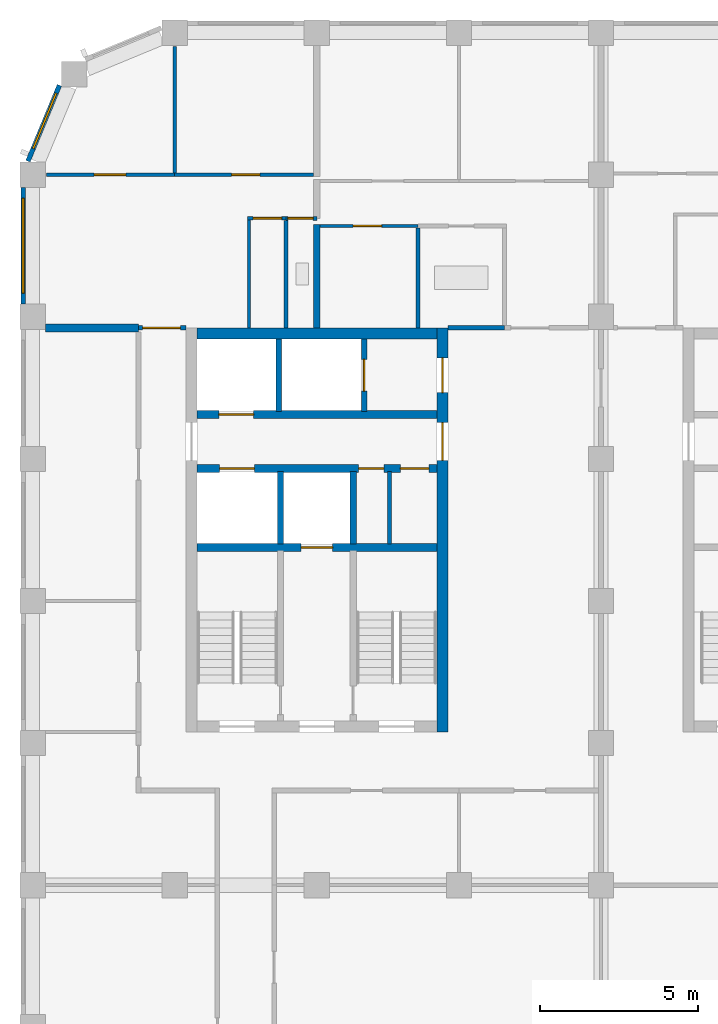
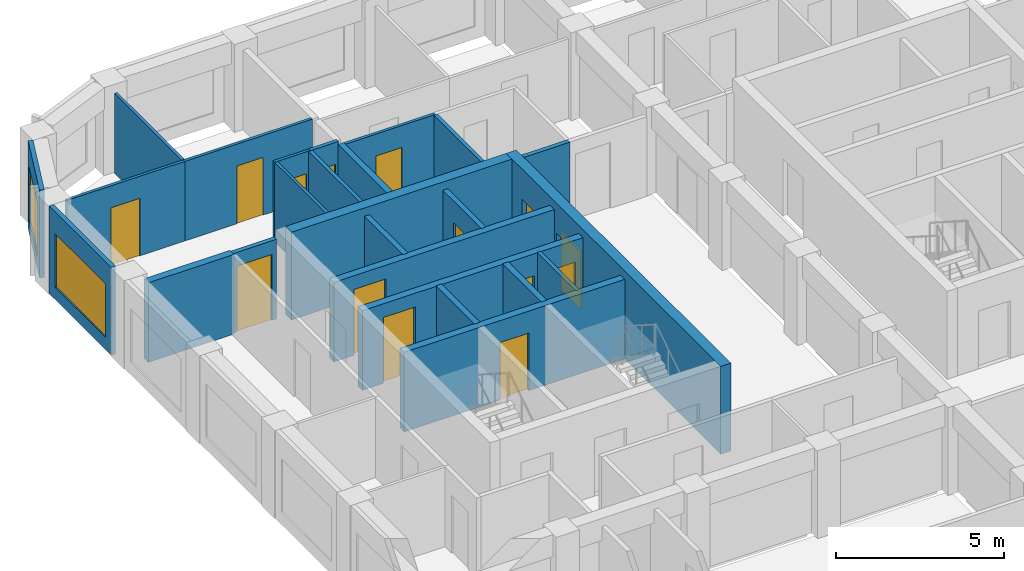
# One storey, part 5 of 9: 25 walls, 14 doors, 2 windows, 16 openings.
"""IFC4 building model written with IfcOpenShell, lengths in metres."""

from ifc_helpers import new_model, si_unit, direction, frame, frame_2d, origin, place, context, subcontext, project, spatial, rectangle, extrude, material, layer, layer_set, type_object, element, fill, save


model = new_model("IFC4")

# Units and contexts
model_context = context("Model", 3, precision=1e-05, world=origin(), true_north=direction((0.0, 1.0)))
body_context = subcontext(model_context, "Body", "Model", "MODEL_VIEW")
ifc_project = project(units=[si_unit("LENGTHUNIT", "METRE"), si_unit("AREAUNIT", "SQUARE_METRE"), si_unit("VOLUMEUNIT", "CUBIC_METRE"), si_unit("PLANEANGLEUNIT", "RADIAN"), si_unit("MASSUNIT", "GRAM", prefix="KILO")], contexts=[model_context])

# Site, building, storey
site_placement = place(None, origin())
site = spatial("IfcSite", under=ifc_project, at=site_placement, CompositionType="ELEMENT")
building_placement = place(site_placement, origin())
building = spatial("IfcBuilding", under=site, at=building_placement, Name="Girih Gate Residences", CompositionType="ELEMENT")
storey_placement = place(building_placement, frame((0.0, 0.0, 213.294921875)))
storey = spatial("IfcBuildingStorey", under=building, at=storey_placement, Name="L59", CompositionType="ELEMENT", Elevation=213.294921875)

# Wall
ifc_material_1 = material(Name="Gypsum board on steel studs", Category="steel")
ifc_layer_1 = layer(ifc_material_1, 0.25)
ifc_layer_set_1 = layer_set([ifc_layer_1], Name="Acoustic separating wall 250 mm")
wall_type_1 = type_object("IfcWallType", Name="Acoustic separating wall 250 mm", PredefinedType="PARTITIONING", material=ifc_layer_set_1)
wall_1_placement = place(storey_placement, frame((0.39990234375, 40.14990234375, 0.0), z_axis=(0.0, 0.0, 1.0), x_axis=(1.0, 0.0, 0.0)))
element("IfcWall", 1, at=wall_1_placement, inside=storey, type_object=wall_type_1, Name="L59 partition", PredefinedType="PARTITIONING", context=body_context, shape_type="SweptSolid", body=[
    extrude(rectangle(XDim=2.9501953125, YDim=0.25, at=frame_2d((1.47509765625, 0.0))), origin(), (0.0, 0.0, 1.0), 2.900146484375),
])

# Wall, opening, door
ifc_layer_2 = layer(ifc_material_1, 0.14990234375)
ifc_layer_set_2 = layer_set([ifc_layer_2], Name="Compartment wall 150 mm")
wall_type_2 = type_object("IfcWallType", Name="Compartment wall 150 mm", PredefinedType="PARTITIONING", material=ifc_layer_set_2)
wall_2_placement = place(storey_placement, frame((3.35009765625, 40.14990234375, 0.0), z_axis=(0.0, 0.0, 1.0), x_axis=(1.0, 0.0, 0.0)))
wall_2 = element("IfcWall", 2, at=wall_2_placement, inside=storey, type_object=wall_type_2, Name="L59 partition", PredefinedType="PARTITIONING", context=body_context, shape_type="SweptSolid", body=[
    extrude(rectangle(XDim=1.5, YDim=0.14990234375, at=frame_2d((0.75, 0.0))), origin(), (0.0, 0.0, 1.0), 2.900146484375),
])
opening_1_placement = place(wall_2_placement, frame((0.1298828125, 0.0, 0.0)))
opening_1 = element("IfcOpeningElement", 3, at=opening_1_placement, cuts=wall_2, Name="Opening A59-011", PredefinedType="OPENING", context=body_context, shape_type="SweptSolid", body=[
    extrude(rectangle(XDim=1.199951171875, YDim=2.39990234375, at=frame_2d((0.60009765625, 1.199951171875))), frame((0.0, 0.0849609375, 0.0), z_axis=(0.0, -1.0, 0.0), x_axis=(1.0, 0.0, 0.0)), (0.0, 0.0, 1.0), 0.169921875),
])
ifc_material_2 = material(Name="Timber, fire-rated core", Category="wood")
door_type_1 = type_object("IfcDoorType", Name="Villa entrance door 1200x2400 FD30S", OperationType="NOTDEFINED", PredefinedType="DOOR", material=ifc_material_2)
door_1_placement = place(opening_1_placement, origin())
door_1 = element("IfcDoor", 4, at=door_1_placement, inside=storey, type_object=door_type_1, Name="Door A59-011", OperationType="SINGLE_SWING_LEFT", OverallHeight=2.39990234375, OverallWidth=1.199951171875, PredefinedType="DOOR", context=body_context, shape_type="SweptSolid", body=[
    extrude(rectangle(XDim=1.199951171875, YDim=2.39990234375, at=frame_2d((0.60009765625, 1.199951171875))), frame((0.0, 0.02490234375, 0.0), z_axis=(0.0, -1.0, 0.0), x_axis=(1.0, 0.0, 0.0)), (0.0, 0.0, 1.0), 0.050048828125),
])
fill(opening_1, door_1)

# Walls
wall_3_placement = place(storey_placement, frame((13.14990234375, 40.14990234375, 0.0), z_axis=(0.0, 0.0, 1.0), x_axis=(1.0, 0.0, 0.0)))
element("IfcWall", 5, at=wall_3_placement, inside=storey, type_object=wall_type_2, Name="L59 partition", PredefinedType="PARTITIONING", context=body_context, shape_type="SweptSolid", body=[
    extrude(rectangle(XDim=1.800048828125, YDim=0.14990234375, at=frame_2d((0.89990234375, 0.0))), origin(), (0.0, 0.0, 1.0), 2.900146484375),
])
ifc_material_3 = material(Name="Concrete C60/75", Category="concrete")
ifc_layer_3 = layer(ifc_material_3, 0.35009765625)
ifc_layer_set_3 = layer_set([ifc_layer_3], Name="Core wall RC 350 Concrete C60/75")
wall_type_3 = type_object("IfcWallType", Name="Core wall RC 350 Concrete C60/75", PredefinedType="SOLIDWALL", material=ifc_layer_set_3)
wall_4_placement = place(storey_placement, frame((5.199951171875, 39.97509765625, 0.0), z_axis=(0.0, 0.0, 1.0), x_axis=(1.0, 0.0, 0.0)))
element("IfcWall", 6, at=wall_4_placement, inside=storey, type_object=wall_type_3, Name="Core wall W-N L59", PredefinedType="SOLIDWALL", context=body_context, shape_type="SweptSolid", body=[
    extrude(rectangle(XDim=7.60009765625, YDim=0.35009765625, at=frame_2d((3.800048828125, 0.0))), origin(), (0.0, 0.0, 1.0), 3.2001953125),
])

# Wall, openings, doors
wall_5_placement = place(storey_placement, frame((12.97509765625, 27.35009765625, 0.0), z_axis=(0.0, 0.0, 1.0), x_axis=(0.0, 1.0, 0.0)))
wall_5 = element("IfcWall", 7, at=wall_5_placement, inside=storey, type_object=wall_type_3, Name="Core wall W-E L59", PredefinedType="SOLIDWALL", context=body_context, shape_type="SweptSolid", body=[
    extrude(rectangle(XDim=12.7998046875, YDim=0.35009765625, at=frame_2d((6.39990234375, 0.0))), origin(), (0.0, 0.0, 1.0), 3.2001953125),
])
opening_2_placement = place(wall_5_placement, frame((10.75, 0.0, 0.0)))
opening_2 = element("IfcOpeningElement", 8, at=opening_2_placement, cuts=wall_5, Name="Opening D-L59-W-012", PredefinedType="OPENING", context=body_context, shape_type="SweptSolid", body=[
    extrude(rectangle(XDim=1.10009765625, YDim=2.10009765625, at=frame_2d((0.550048828125, 1.050048828125))), frame((0.0, 0.18505859375, 0.0), z_axis=(0.0, -1.0, 0.0), x_axis=(1.0, 0.0, 0.0)), (0.0, 0.0, 1.0), 0.3701171875),
])
opening_3_placement = place(wall_5_placement, frame((8.60009765625, 0.0, 0.0)))
opening_3 = element("IfcOpeningElement", 9, at=opening_3_placement, cuts=wall_5, Name="Opening D-L59-W-014", PredefinedType="OPENING", context=body_context, shape_type="SweptSolid", body=[
    extrude(rectangle(XDim=1.199951171875, YDim=2.10009765625, at=frame_2d((0.60009765625, 1.050048828125))), frame((0.0, 0.18505859375, 0.0), z_axis=(0.0, -1.0, 0.0), x_axis=(1.0, 0.0, 0.0)), (0.0, 0.0, 1.0), 0.3701171875),
])
ifc_material_4 = material(Name="Painted steel, fire-resisting", Category="steel")
door_type_2 = type_object("IfcDoorType", Name="Fire door 1100x2100", OperationType="SINGLE_SWING_LEFT", PredefinedType="DOOR", material=ifc_material_4)
door_2_placement = place(opening_2_placement, origin())
door_2 = element("IfcDoor", 10, at=door_2_placement, inside=storey, type_object=door_type_2, Name="L59 W core door ffl2-e", OperationType="SINGLE_SWING_LEFT", OverallHeight=2.10009765625, OverallWidth=1.10009765625, PredefinedType="DOOR", context=body_context, shape_type="SweptSolid", body=[
    extrude(rectangle(XDim=1.10009765625, YDim=2.10009765625, at=frame_2d((0.550048828125, 1.050048828125))), frame((0.0, 0.02490234375, 0.0), z_axis=(0.0, -1.0, 0.0), x_axis=(1.0, 0.0, 0.0)), (0.0, 0.0, 1.0), 0.050048828125),
])
fill(opening_2, door_2)
door_type_3 = type_object("IfcDoorType", Name="Fire door 1200x2100", OperationType="SINGLE_SWING_LEFT", PredefinedType="DOOR", material=ifc_material_4)
door_3_placement = place(opening_3_placement, origin())
door_3 = element("IfcDoor", 11, at=door_3_placement, inside=storey, type_object=door_type_3, Name="L59 W core door ll-e", OperationType="SINGLE_SWING_LEFT", OverallHeight=2.10009765625, OverallWidth=1.199951171875, PredefinedType="DOOR", context=body_context, shape_type="SweptSolid", body=[
    extrude(rectangle(XDim=1.199951171875, YDim=2.10009765625, at=frame_2d((0.60009765625, 1.050048828125))), frame((0.0, 0.02490234375, 0.0), z_axis=(0.0, -1.0, 0.0), x_axis=(1.0, 0.0, 0.0)), (0.0, 0.0, 1.0), 0.050048828125),
])
fill(opening_3, door_3)

# Wall, opening, door
ifc_material_5 = material(Name="Concrete C40/50", Category="concrete")
ifc_layer_4 = layer(ifc_material_5, 0.25)
ifc_layer_set_4 = layer_set([ifc_layer_4], Name="Lift shaft wall 250")
wall_type_4 = type_object("IfcWallType", Name="Lift shaft wall 250", PredefinedType="SOLIDWALL", material=ifc_layer_set_4)
wall_6_placement = place(storey_placement, frame((5.199951171875, 33.199951171875, 0.0), z_axis=(0.0, 0.0, 1.0), x_axis=(1.0, 0.0, 0.0)))
wall_6 = element("IfcWall", 12, at=wall_6_placement, inside=storey, type_object=wall_type_4, Name="L59 W core wall H1", PredefinedType="SOLIDWALL", context=body_context, shape_type="SweptSolid", body=[
    extrude(rectangle(XDim=7.60009765625, YDim=0.25, at=frame_2d((3.800048828125, 0.0))), origin(), (0.0, 0.0, 1.0), 2.900146484375),
])
opening_4_placement = place(wall_6_placement, frame((3.300048828125, 0.0, 0.0)))
opening_4 = element("IfcOpeningElement", 13, at=opening_4_placement, cuts=wall_6, Name="Opening D-L59-W-006", PredefinedType="OPENING", context=body_context, shape_type="SweptSolid", body=[
    extrude(rectangle(XDim=1.0, YDim=2.10009765625, at=frame_2d((0.5, 1.050048828125))), frame((0.0, 0.135009765625, 0.0), z_axis=(0.0, -1.0, 0.0), x_axis=(1.0, 0.0, 0.0)), (0.0, 0.0, 1.0), 0.27001953125),
])
ifc_material_6 = material(Name="Stainless steel, fire-resisting", Category="steel")
door_type_4 = type_object("IfcDoorType", Name="Firefighting lift landing door 1000x2100", OperationType="SLIDING_TO_LEFT", PredefinedType="DOOR", material=ifc_material_6)
door_4_placement = place(opening_4_placement, origin())
door_4 = element("IfcDoor", 14, at=door_4_placement, inside=storey, type_object=door_type_4, Name="L59 lift FF-W landing door", OperationType="SLIDING_TO_LEFT", OverallHeight=2.10009765625, OverallWidth=1.0, PredefinedType="DOOR", context=body_context, shape_type="SweptSolid", body=[
    extrude(rectangle(XDim=1.0, YDim=2.10009765625, at=frame_2d((0.5, 1.050048828125))), frame((0.0, 0.02490234375, 0.0), z_axis=(0.0, -1.0, 0.0), x_axis=(1.0, 0.0, 0.0)), (0.0, 0.0, 1.0), 0.050048828125),
])
fill(opening_4, door_4)

# Wall, openings, doors
wall_7_placement = place(storey_placement, frame((5.199951171875, 35.699951171875, 0.0), z_axis=(0.0, 0.0, 1.0), x_axis=(1.0, 0.0, 0.0)))
wall_7 = element("IfcWall", 15, at=wall_7_placement, inside=storey, type_object=wall_type_4, Name="L59 W core wall H2", PredefinedType="SOLIDWALL", context=body_context, shape_type="SweptSolid", body=[
    extrude(rectangle(XDim=7.60009765625, YDim=0.25, at=frame_2d((3.800048828125, 0.0))), origin(), (0.0, 0.0, 1.0), 2.900146484375),
])
opening_5_placement = place(wall_7_placement, frame((0.72509765625, 0.0, 0.0)))
opening_5 = element("IfcOpeningElement", 16, at=opening_5_placement, cuts=wall_7, Name="Opening D-L59-W-005", PredefinedType="OPENING", context=body_context, shape_type="SweptSolid", body=[
    extrude(rectangle(XDim=1.10009765625, YDim=2.39990234375, at=frame_2d((0.550048828125, 1.199951171875))), frame((0.0, 0.135009765625, 0.0), z_axis=(0.0, -1.0, 0.0), x_axis=(1.0, 0.0, 0.0)), (0.0, 0.0, 1.0), 0.27001953125),
])
opening_6_placement = place(wall_7_placement, frame((5.125, 0.0, 0.0)))
opening_6 = element("IfcOpeningElement", 17, at=opening_6_placement, cuts=wall_7, Name="Opening D-L59-W-007", PredefinedType="OPENING", context=body_context, shape_type="SweptSolid", body=[
    extrude(rectangle(XDim=0.800048828125, YDim=2.10009765625, at=frame_2d((0.39990234375, 1.050048828125))), frame((0.0, 0.135009765625, 0.0), z_axis=(0.0, -1.0, 0.0), x_axis=(1.0, 0.0, 0.0)), (0.0, 0.0, 1.0), 0.27001953125),
])
opening_7_placement = place(wall_7_placement, frame((6.449951171875, 0.0, 0.0)))
opening_7 = element("IfcOpeningElement", 18, at=opening_7_placement, cuts=wall_7, Name="Opening D-L59-W-008", PredefinedType="OPENING", context=body_context, shape_type="SweptSolid", body=[
    extrude(rectangle(XDim=0.89990234375, YDim=2.10009765625, at=frame_2d((0.449951171875, 1.050048828125))), frame((0.0, 0.135009765625, 0.0), z_axis=(0.0, -1.0, 0.0), x_axis=(1.0, 0.0, 0.0)), (0.0, 0.0, 1.0), 0.27001953125),
])
door_type_5 = type_object("IfcDoorType", Name="Fire door 800x2100", OperationType="SINGLE_SWING_LEFT", PredefinedType="DOOR", material=ifc_material_4)
door_5_placement = place(opening_6_placement, origin())
door_5 = element("IfcDoor", 19, at=door_5_placement, inside=storey, type_object=door_type_5, Name="L59 W cleaners store door", OperationType="SINGLE_SWING_LEFT", OverallHeight=2.10009765625, OverallWidth=0.800048828125, PredefinedType="DOOR", context=body_context, shape_type="SweptSolid", body=[
    extrude(rectangle(XDim=0.800048828125, YDim=2.10009765625, at=frame_2d((0.39990234375, 1.050048828125))), frame((0.0, 0.02490234375, 0.0), z_axis=(0.0, -1.0, 0.0), x_axis=(1.0, 0.0, 0.0)), (0.0, 0.0, 1.0), 0.050048828125),
])
fill(opening_6, door_5)
door_type_6 = type_object("IfcDoorType", Name="Fire door 900x2100", OperationType="SINGLE_SWING_LEFT", PredefinedType="DOOR", material=ifc_material_4)
door_6_placement = place(opening_7_placement, origin())
door_6 = element("IfcDoor", 20, at=door_6_placement, inside=storey, type_object=door_type_6, Name="L59 W riser room door", OperationType="SINGLE_SWING_LEFT", OverallHeight=2.10009765625, OverallWidth=0.89990234375, PredefinedType="DOOR", context=body_context, shape_type="SweptSolid", body=[
    extrude(rectangle(XDim=0.89990234375, YDim=2.10009765625, at=frame_2d((0.449951171875, 1.050048828125))), frame((0.0, 0.02490234375, 0.0), z_axis=(0.0, -1.0, 0.0), x_axis=(1.0, 0.0, 0.0)), (0.0, 0.0, 1.0), 0.050048828125),
])
fill(opening_7, door_6)
ifc_material_7 = material(Name="Stainless steel", Category="steel")
door_type_7 = type_object("IfcDoorType", Name="Lift landing door 1100x2400", OperationType="SLIDING_TO_LEFT", PredefinedType="DOOR", material=ifc_material_7)
door_7_placement = place(opening_5_placement, origin())
door_7 = element("IfcDoor", 21, at=door_7_placement, inside=storey, type_object=door_type_7, Name="L59 lift HR-W1 landing door", OperationType="SLIDING_TO_LEFT", OverallHeight=2.39990234375, OverallWidth=1.10009765625, PredefinedType="DOOR", context=body_context, shape_type="SweptSolid", body=[
    extrude(rectangle(XDim=1.10009765625, YDim=2.39990234375, at=frame_2d((0.550048828125, 1.199951171875))), frame((0.0, 0.02490234375, 0.0), z_axis=(0.0, -1.0, 0.0), x_axis=(1.0, 0.0, 0.0)), (0.0, 0.0, 1.0), 0.050048828125),
])
fill(opening_5, door_7)

# Wall, opening, door
wall_8_placement = place(storey_placement, frame((5.199951171875, 37.39990234375, 0.0), z_axis=(0.0, 0.0, 1.0), x_axis=(1.0, 0.0, 0.0)))
wall_8 = element("IfcWall", 22, at=wall_8_placement, inside=storey, type_object=wall_type_4, Name="L59 W core wall H3", PredefinedType="SOLIDWALL", context=body_context, shape_type="SweptSolid", body=[
    extrude(rectangle(XDim=7.60009765625, YDim=0.25, at=frame_2d((3.800048828125, 0.0))), origin(), (0.0, 0.0, 1.0), 2.900146484375),
])
opening_8_placement = place(wall_8_placement, frame((0.699951171875, 0.0, 0.0)))
opening_8 = element("IfcOpeningElement", 23, at=opening_8_placement, cuts=wall_8, Name="Opening D-L59-W-003", PredefinedType="OPENING", context=body_context, shape_type="SweptSolid", body=[
    extrude(rectangle(XDim=1.10009765625, YDim=2.39990234375, at=frame_2d((0.550048828125, 1.199951171875))), frame((0.0, 0.135009765625, 0.0), z_axis=(0.0, -1.0, 0.0), x_axis=(1.0, 0.0, 0.0)), (0.0, 0.0, 1.0), 0.27001953125),
])
door_8_placement = place(opening_8_placement, origin())
door_8 = element("IfcDoor", 24, at=door_8_placement, inside=storey, type_object=door_type_7, Name="L59 lift LR-W1 landing door", OperationType="SLIDING_TO_LEFT", OverallHeight=2.39990234375, OverallWidth=1.10009765625, PredefinedType="DOOR", context=body_context, shape_type="SweptSolid", body=[
    extrude(rectangle(XDim=1.10009765625, YDim=2.39990234375, at=frame_2d((0.550048828125, 1.199951171875))), frame((0.0, 0.02490234375, 0.0), z_axis=(0.0, -1.0, 0.0), x_axis=(1.0, 0.0, 0.0)), (0.0, 0.0, 1.0), 0.050048828125),
])
fill(opening_8, door_8)

ifc_layer_5 = layer(ifc_material_1, 0.10009765625)
ifc_layer_set_5 = layer_set([ifc_layer_5], Name="Partition 100 mm")
wall_type_5 = type_object("IfcWallType", Name="Partition 100 mm", PredefinedType="PARTITIONING", material=ifc_layer_set_5)
wall_9_placement = place(storey_placement, frame((4.5, 45.0, 0.0), z_axis=(0.0, 0.0, 1.0), x_axis=(1.0, 0.0, 0.0)))
wall_9 = element("IfcWall", 25, at=wall_9_placement, inside=storey, type_object=wall_type_5, Name="L59 partition", PredefinedType="PARTITIONING", context=body_context, shape_type="SweptSolid", body=[
    extrude(rectangle(XDim=4.39990234375, YDim=0.10009765625, at=frame_2d((2.199951171875, 0.0))), origin(), (0.0, 0.0, 1.0), 2.900146484375),
])
opening_9_placement = place(wall_9_placement, frame((1.800048828125, 0.0, 0.0)))
opening_9 = element("IfcOpeningElement", 26, at=opening_9_placement, cuts=wall_9, Name="Opening A59-008", PredefinedType="OPENING", context=body_context, shape_type="SweptSolid", body=[
    extrude(rectangle(XDim=0.89990234375, YDim=2.10009765625, at=frame_2d((0.449951171875, 1.050048828125))), frame((0.0, 0.06005859375, 0.0), z_axis=(0.0, -1.0, 0.0), x_axis=(1.0, 0.0, 0.0)), (0.0, 0.0, 1.0), 0.1201171875),
])
ifc_material_8 = material(Name="Timber", Category="wood")
door_type_8 = type_object("IfcDoorType", Name="Bedroom door 900x2100", OperationType="NOTDEFINED", PredefinedType="DOOR", material=ifc_material_8)
door_9_placement = place(opening_9_placement, origin())
door_9 = element("IfcDoor", 27, at=door_9_placement, inside=storey, type_object=door_type_8, Name="Door A59-008", OperationType="SINGLE_SWING_RIGHT", OverallHeight=2.10009765625, OverallWidth=0.89990234375, PredefinedType="DOOR", context=body_context, shape_type="SweptSolid", body=[
    extrude(rectangle(XDim=0.89990234375, YDim=2.10009765625, at=frame_2d((0.449951171875, 1.050048828125))), frame((0.0, 0.02490234375, 0.0), z_axis=(0.0, -1.0, 0.0), x_axis=(1.0, 0.0, 0.0)), (0.0, 0.0, 1.0), 0.050048828125),
])
fill(opening_9, door_9)

# Wall
wall_10_placement = place(storey_placement, frame((4.5, 45.050048828125, 0.0), z_axis=(0.0, 0.0, 1.0), x_axis=(0.0, 1.0, 0.0)))
element("IfcWall", 28, at=wall_10_placement, inside=storey, type_object=wall_type_5, Name="L59 partition", PredefinedType="PARTITIONING", context=body_context, shape_type="SweptSolid", body=[
    extrude(rectangle(XDim=4.01708984375, YDim=0.10009765625, at=frame_2d((2.008544921875, 0.0))), origin(), (0.0, 0.0, 1.0), 2.900146484375),
])

# Wall, opening, door
wall_11_placement = place(storey_placement, frame((8.022705078125, 43.6201171875, 0.0), z_axis=(0.0, 0.0, 1.0), x_axis=(-1.0, 0.0, 0.0)))
wall_11 = element("IfcWall", 29, at=wall_11_placement, inside=storey, type_object=wall_type_5, Name="L59 partition", PredefinedType="PARTITIONING", context=body_context, shape_type="SweptSolid", body=[
    extrude(rectangle(XDim=1.22265625, YDim=0.10009765625, at=frame_2d((0.611328125, 0.0))), origin(), (0.0, 0.0, 1.0), 2.900146484375),
])
opening_10_placement = place(wall_11_placement, frame((0.136474609375, 0.0, 0.0)))
opening_10 = element("IfcOpeningElement", 30, at=opening_10_placement, cuts=wall_11, Name="Opening A59-009", PredefinedType="OPENING", context=body_context, shape_type="SweptSolid", body=[
    extrude(rectangle(XDim=0.89990234375, YDim=2.10009765625, at=frame_2d((0.449951171875, 1.050048828125))), frame((0.0, 0.06005859375, 0.0), z_axis=(0.0, -1.0, 0.0), x_axis=(1.0, 0.0, 0.0)), (0.0, 0.0, 1.0), 0.1201171875),
])
door_type_9 = type_object("IfcDoorType", Name="Kitchen door 900x2100", OperationType="NOTDEFINED", PredefinedType="DOOR", material=ifc_material_8)
door_10_placement = place(opening_10_placement, origin())
door_10 = element("IfcDoor", 31, at=door_10_placement, inside=storey, type_object=door_type_9, Name="Door A59-009", OperationType="SINGLE_SWING_LEFT", OverallHeight=2.10009765625, OverallWidth=0.89990234375, PredefinedType="DOOR", context=body_context, shape_type="SweptSolid", body=[
    extrude(rectangle(XDim=0.89990234375, YDim=2.10009765625, at=frame_2d((0.449951171875, 1.050048828125))), frame((0.0, 0.02490234375, 0.0), z_axis=(0.0, -1.0, 0.0), x_axis=(1.0, 0.0, 0.0)), (0.0, 0.0, 1.0), 0.050048828125),
])
fill(opening_10, door_10)

# Wall
wall_12_placement = place(storey_placement, frame((6.85009765625, 40.14990234375, 0.0), z_axis=(0.0, 0.0, 1.0), x_axis=(0.0, 1.0, 0.0)))
element("IfcWall", 32, at=wall_12_placement, inside=storey, type_object=wall_type_5, Name="L59 partition", PredefinedType="PARTITIONING", context=body_context, shape_type="SweptSolid", body=[
    extrude(rectangle(XDim=3.420166015625, YDim=0.10009765625, at=frame_2d((1.7099609375, 0.0))), origin(), (0.0, 0.0, 1.0), 2.900146484375),
])

# Wall, opening, door
wall_13_placement = place(storey_placement, frame((0.432861328125, 45.0, 0.0), z_axis=(0.0, 0.0, 1.0), x_axis=(1.0, 0.0, 0.0)))
wall_13 = element("IfcWall", 33, at=wall_13_placement, inside=storey, type_object=wall_type_5, Name="L59 partition", PredefinedType="PARTITIONING", context=body_context, shape_type="SweptSolid", body=[
    extrude(rectangle(XDim=4.067138671875, YDim=0.10009765625, at=frame_2d((2.03369140625, 0.0))), origin(), (0.0, 0.0, 1.0), 2.900146484375),
])
opening_11_placement = place(wall_13_placement, frame((1.51708984375, 0.0, 0.0)))
opening_11 = element("IfcOpeningElement", 34, at=opening_11_placement, cuts=wall_13, Name="Opening A59-010", PredefinedType="OPENING", context=body_context, shape_type="SweptSolid", body=[
    extrude(rectangle(XDim=1.0, YDim=2.10009765625, at=frame_2d((0.5, 1.050048828125))), frame((0.0, 0.06005859375, 0.0), z_axis=(0.0, -1.0, 0.0), x_axis=(1.0, 0.0, 0.0)), (0.0, 0.0, 1.0), 0.1201171875),
])
door_type_10 = type_object("IfcDoorType", Name="Living room door 1000x2100", OperationType="NOTDEFINED", PredefinedType="DOOR", material=ifc_material_8)
door_11_placement = place(opening_11_placement, origin())
door_11 = element("IfcDoor", 35, at=door_11_placement, inside=storey, type_object=door_type_10, Name="Door A59-010", OperationType="SINGLE_SWING_LEFT", OverallHeight=2.10009765625, OverallWidth=1.0, PredefinedType="DOOR", context=body_context, shape_type="SweptSolid", body=[
    extrude(rectangle(XDim=1.0, YDim=2.10009765625, at=frame_2d((0.5, 1.050048828125))), frame((0.0, 0.02490234375, 0.0), z_axis=(0.0, -1.0, 0.0), x_axis=(1.0, 0.0, 0.0)), (0.0, 0.0, 1.0), 0.050048828125),
])
fill(opening_11, door_11)

wall_14_placement = place(storey_placement, frame((12.200927734375, 43.3798828125, 0.0), z_axis=(0.0, 0.0, 1.0), x_axis=(-1.0, 0.0, 0.0)))
wall_14 = element("IfcWall", 36, at=wall_14_placement, inside=storey, type_object=wall_type_5, Name="L59 partition", PredefinedType="PARTITIONING", context=body_context, shape_type="SweptSolid", body=[
    extrude(rectangle(XDim=3.100830078125, YDim=0.10009765625, at=frame_2d((1.55029296875, 0.0))), origin(), (0.0, 0.0, 1.0), 2.900146484375),
])
opening_12_placement = place(wall_14_placement, frame((1.150390625, 0.0, 0.0)))
opening_12 = element("IfcOpeningElement", 37, at=opening_12_placement, cuts=wall_14, Name="Opening A59-014", PredefinedType="OPENING", context=body_context, shape_type="SweptSolid", body=[
    extrude(rectangle(XDim=0.89990234375, YDim=2.10009765625, at=frame_2d((0.449951171875, 1.050048828125))), frame((0.0, 0.06005859375, 0.0), z_axis=(0.0, -1.0, 0.0), x_axis=(1.0, 0.0, 0.0)), (0.0, 0.0, 1.0), 0.1201171875),
])
door_12_placement = place(opening_12_placement, origin())
door_12 = element("IfcDoor", 38, at=door_12_placement, inside=storey, type_object=door_type_9, Name="Door A59-014", OperationType="SINGLE_SWING_RIGHT", OverallHeight=2.10009765625, OverallWidth=0.89990234375, PredefinedType="DOOR", context=body_context, shape_type="SweptSolid", body=[
    extrude(rectangle(XDim=0.89990234375, YDim=2.10009765625, at=frame_2d((0.449951171875, 1.050048828125))), frame((0.0, 0.02490234375, 0.0), z_axis=(0.0, -1.0, 0.0), x_axis=(1.0, 0.0, 0.0)), (0.0, 0.0, 1.0), 0.050048828125),
])
fill(opening_12, door_12)

# Wall
ifc_layer_6 = layer(ifc_material_1, 0.199951171875)
ifc_layer_set_6 = layer_set([ifc_layer_6], Name="Party wall 200 mm")
wall_type_6 = type_object("IfcWallType", Name="Party wall 200 mm", PredefinedType="PARTITIONING", material=ifc_layer_set_6)
wall_15_placement = place(storey_placement, frame((9.0, 40.14990234375, 0.0), z_axis=(0.0, 0.0, 1.0), x_axis=(0.0, 1.0, 0.0)))
element("IfcWall", 39, at=wall_15_placement, inside=storey, type_object=wall_type_6, Name="L59 partition", PredefinedType="PARTITIONING", context=body_context, shape_type="SweptSolid", body=[
    extrude(rectangle(XDim=3.280029296875, YDim=0.199951171875, at=frame_2d((1.64013671875, 0.0))), origin(), (0.0, 0.0, 1.0), 2.900146484375),
])

# Wall, opening, window
ifc_material_9 = material(Name="Precast concrete C50/60", Category="concrete")
ifc_layer_7 = layer(ifc_material_9, 0.050048828125, Name="Outer leaf")
ifc_material_10 = material(Name="Rigid PIR insulation")
ifc_layer_8 = layer(ifc_material_10, 0.06005859375, Name="Insulation")
ifc_material_11 = material(Name="Precast concrete C40/50", Category="concrete")
ifc_layer_9 = layer(ifc_material_11, 0.0400390625, Name="Inner leaf")
ifc_layer_set_7 = layer_set([ifc_layer_7, ifc_layer_8, ifc_layer_9], Name="Precast concrete C50/60 external wall 150")
wall_type_7 = type_object("IfcWallType", Name="Precast concrete C50/60 external wall 150", PredefinedType="SOLIDWALL", material=ifc_layer_set_7)
wall_16_placement = place(storey_placement, frame((-0.147216796875, 45.4287109375, 0.0), z_axis=(0.0, 0.0, 1.0), x_axis=(0.382669406082, 0.923885342263, 0.0)))
wall_16 = element("IfcWall", 40, at=wall_16_placement, inside=storey, type_object=wall_type_7, Name="External wall NW0013_0482.0", PredefinedType="SOLIDWALL", context=body_context, shape_type="SweptSolid", body=[
    extrude(rectangle(XDim=2.602294921875, YDim=0.14990234375, at=frame_2d((1.30126953125, 0.0))), origin(), (0.0, 0.0, 1.0), 3.2001953125),
])
opening_13_placement = place(wall_16_placement, frame((0.432373046875, 0.0, 0.449951171875)))
opening_13 = element("IfcOpeningElement", 41, at=opening_13_placement, cuts=wall_16, Name="Opening W-2G", PredefinedType="OPENING", context=body_context, shape_type="SweptSolid", body=[
    extrude(rectangle(XDim=1.89990234375, YDim=1.949951171875, at=frame_2d((0.949951171875, 0.97509765625))), frame((0.0, 0.0849609375, 0.0), z_axis=(0.0, -1.0, 0.0), x_axis=(1.0, 0.0, 0.0)), (0.0, 0.0, 1.0), 0.169921875),
])
ifc_material_12 = material(Name="Double glazing in aluminium frame", Category="aluminium")
window_type_1 = type_object("IfcWindowType", Name="Window W-2G 1900x1950", PartitioningType="SINGLE_PANEL", PredefinedType="WINDOW", material=ifc_material_12)
window_1_placement = place(opening_13_placement, origin())
window_1 = element("IfcWindow", 42, at=window_1_placement, inside=storey, type_object=window_type_1, Name="Window W-2G NW0013_0482.0", OverallHeight=1.949951171875, OverallWidth=1.89990234375, PartitioningType="SINGLE_PANEL", PredefinedType="WINDOW", context=body_context, shape_type="SweptSolid", body=[
    extrude(rectangle(XDim=1.89990234375, YDim=1.949951171875, at=frame_2d((0.949951171875, 0.97509765625))), frame((0.0, 0.030029296875, 0.0), z_axis=(0.0, -1.0, 0.0), x_axis=(1.0, 0.0, 0.0)), (0.0, 0.0, 1.0), 0.06005859375),
])
fill(opening_13, window_1)

wall_17_placement = place(storey_placement, frame((-0.300048828125, 40.89990234375, 0.0), z_axis=(0.0, 0.0, 1.0), x_axis=(0.0, 1.0, 0.0)))
wall_17 = element("IfcWall", 43, at=wall_17_placement, inside=storey, type_object=wall_type_7, Name="External wall W0000_0450.0", PredefinedType="SOLIDWALL", context=body_context, shape_type="SweptSolid", body=[
    extrude(rectangle(XDim=3.7001953125, YDim=0.14990234375, at=frame_2d((1.85009765625, 0.0))), origin(), (0.0, 0.0, 1.0), 3.2001953125),
])
opening_14_placement = place(wall_17_placement, frame((0.35009765625, 0.0, 0.449951171875)))
opening_14 = element("IfcOpeningElement", 44, at=opening_14_placement, cuts=wall_17, Name="Opening W-1D", PredefinedType="OPENING", context=body_context, shape_type="SweptSolid", body=[
    extrude(rectangle(XDim=3.0, YDim=1.949951171875, at=frame_2d((1.5, 0.97509765625))), frame((0.0, 0.0849609375, 0.0), z_axis=(0.0, -1.0, 0.0), x_axis=(1.0, 0.0, 0.0)), (0.0, 0.0, 1.0), 0.169921875),
])
window_type_2 = type_object("IfcWindowType", Name="Window W-1D 3000x1950", PartitioningType="SINGLE_PANEL", PredefinedType="WINDOW", material=ifc_material_12)
window_2_placement = place(opening_14_placement, origin())
window_2 = element("IfcWindow", 45, at=window_2_placement, inside=storey, type_object=window_type_2, Name="Window W-1D W0000_0450.0", OverallHeight=1.949951171875, OverallWidth=3.0, PartitioningType="SINGLE_PANEL", PredefinedType="WINDOW", context=body_context, shape_type="SweptSolid", body=[
    extrude(rectangle(XDim=3.0, YDim=1.949951171875, at=frame_2d((1.5, 0.97509765625))), frame((0.0, 0.030029296875, 0.0), z_axis=(0.0, -1.0, 0.0), x_axis=(1.0, 0.0, 0.0)), (0.0, 0.0, 1.0), 0.06005859375),
])
fill(opening_14, window_2)

# Wall
ifc_layer_10 = layer(ifc_material_5, 0.175048828125)
ifc_layer_set_8 = layer_set([ifc_layer_10], Name="Riser shaft wall 175")
wall_type_8 = type_object("IfcWallType", Name="Riser shaft wall 175", PredefinedType="SOLIDWALL", material=ifc_layer_set_8)
wall_18_placement = place(storey_placement, frame((7.800048828125, 37.5, 0.0), z_axis=(0.0, 0.0, 1.0), x_axis=(0.0, 1.0, 0.0)))
element("IfcWall", 46, at=wall_18_placement, inside=storey, type_object=wall_type_8, Name="L59 W core wall V1c", PredefinedType="SOLIDWALL", context=body_context, shape_type="SweptSolid", body=[
    extrude(rectangle(XDim=2.300048828125, YDim=0.175048828125, at=frame_2d((1.14990234375, 0.0))), origin(), (0.0, 0.0, 1.0), 2.900146484375),
])

# Wall, opening, door
wall_19_placement = place(storey_placement, frame((10.5, 37.5, 0.0), z_axis=(0.0, 0.0, 1.0), x_axis=(0.0, 1.0, 0.0)))
wall_19 = element("IfcWall", 47, at=wall_19_placement, inside=storey, type_object=wall_type_8, Name="L59 W core wall V2c", PredefinedType="SOLIDWALL", context=body_context, shape_type="SweptSolid", body=[
    extrude(rectangle(XDim=2.300048828125, YDim=0.175048828125, at=frame_2d((1.14990234375, 0.0))), origin(), (0.0, 0.0, 1.0), 2.900146484375),
])
opening_15_placement = place(wall_19_placement, frame((0.64990234375, 0.0, 0.0)))
opening_15 = element("IfcOpeningElement", 48, at=opening_15_placement, cuts=wall_19, Name="Opening D-L59-W-004", PredefinedType="OPENING", context=body_context, shape_type="SweptSolid", body=[
    extrude(rectangle(XDim=1.0, YDim=2.10009765625, at=frame_2d((0.5, 1.050048828125))), frame((0.0, 0.097412109375, 0.0), z_axis=(0.0, -1.0, 0.0), x_axis=(1.0, 0.0, 0.0)), (0.0, 0.0, 1.0), 0.195068359375),
])
door_13_placement = place(opening_15_placement, origin())
door_13 = element("IfcDoor", 49, at=door_13_placement, inside=storey, type_object=door_type_4, Name="L59 lift FF-W2 landing door", OperationType="SLIDING_TO_LEFT", OverallHeight=2.10009765625, OverallWidth=1.0, PredefinedType="DOOR", context=body_context, shape_type="SweptSolid", body=[
    extrude(rectangle(XDim=1.0, YDim=2.10009765625, at=frame_2d((0.5, 1.050048828125))), frame((0.0, 0.02490234375, 0.0), z_axis=(0.0, -1.0, 0.0), x_axis=(1.0, 0.0, 0.0)), (0.0, 0.0, 1.0), 0.050048828125),
])
fill(opening_15, door_13)

# Walls
ifc_layer_11 = layer(ifc_material_5, 0.199951171875)
ifc_layer_set_9 = layer_set([ifc_layer_11], Name="Shaft wall 200")
wall_type_9 = type_object("IfcWallType", Name="Shaft wall 200", PredefinedType="SOLIDWALL", material=ifc_layer_set_9)
for number, where, z_axis, x_axis, name in (
    (50, (7.85009765625, 33.300048828125, 0.0), (0.0, 0.0, 1.0), (0.0, 1.0, 0.0), "L59 W core wall V1b"),
    (51, (10.14990234375, 33.300048828125, 0.0), (0.0, 0.0, 1.0), (0.0, 1.0, 0.0), "L59 W core wall V2b"),
):
    element("IfcWall", number, at=place(storey_placement, frame(where, z_axis=z_axis, x_axis=x_axis)), inside=storey, type_object=wall_type_9, Name=name, PredefinedType="SOLIDWALL", context=body_context, shape_type="SweptSolid", body=[
        extrude(rectangle(XDim=2.300048828125, YDim=0.199951171875, at=frame_2d((1.14990234375, 0.0))), origin(), (0.0, 0.0, 1.0), 2.900146484375),
    ])
ifc_material_13 = material(Name="Calcium silicate blockwork", Category="masonry")
ifc_layer_12 = layer(ifc_material_13, 0.125)
ifc_layer_set_10 = layer_set([ifc_layer_12], Name="Store partition 125")
wall_type_10 = type_object("IfcWallType", Name="Store partition 125", PredefinedType="PARTITIONING", material=ifc_layer_set_10)
wall_20_placement = place(storey_placement, frame((11.300048828125, 33.300048828125, 0.0), z_axis=(0.0, 0.0, 1.0), x_axis=(0.0, 1.0, 0.0)))
element("IfcWall", 52, at=wall_20_placement, inside=storey, type_object=wall_type_10, Name="L59 W core wall SHR2", PredefinedType="PARTITIONING", context=body_context, shape_type="SweptSolid", body=[
    extrude(rectangle(XDim=2.300048828125, YDim=0.125, at=frame_2d((1.14990234375, 0.0))), origin(), (0.0, 0.0, 1.0), 2.900146484375),
])

# Wall, opening, door
ifc_layer_13 = layer(ifc_material_1, 0.125)
ifc_layer_set_11 = layer_set([ifc_layer_13], Name="Wet room wall 125 mm")
wall_type_11 = type_object("IfcWallType", Name="Wet room wall 125 mm", PredefinedType="PARTITIONING", material=ifc_layer_set_11)
wall_21_placement = place(storey_placement, frame((9.0, 43.6201171875, 0.0), z_axis=(0.0, 0.0, 1.0), x_axis=(-1.0, 0.0, 0.0)))
wall_21 = element("IfcWall", 53, at=wall_21_placement, inside=storey, type_object=wall_type_11, Name="L59 partition", PredefinedType="PARTITIONING", context=body_context, shape_type="SweptSolid", body=[
    extrude(rectangle(XDim=0.977294921875, YDim=0.125, at=frame_2d((0.48876953125, 0.0))), origin(), (0.0, 0.0, 1.0), 2.900146484375),
])
opening_16_placement = place(wall_21_placement, frame((0.1201171875, 0.0, 0.0)))
opening_16 = element("IfcOpeningElement", 54, at=opening_16_placement, cuts=wall_21, Name="Opening A59-007", PredefinedType="OPENING", context=body_context, shape_type="SweptSolid", body=[
    extrude(rectangle(XDim=0.800048828125, YDim=2.10009765625, at=frame_2d((0.39990234375, 1.050048828125))), frame((0.0, 0.072509765625, 0.0), z_axis=(0.0, -1.0, 0.0), x_axis=(1.0, 0.0, 0.0)), (0.0, 0.0, 1.0), 0.14501953125),
])
door_type_11 = type_object("IfcDoorType", Name="Bathroom door 800x2100", OperationType="NOTDEFINED", PredefinedType="DOOR", material=ifc_material_8)
door_14_placement = place(opening_16_placement, origin())
door_14 = element("IfcDoor", 55, at=door_14_placement, inside=storey, type_object=door_type_11, Name="Door A59-007", OperationType="SINGLE_SWING_LEFT", OverallHeight=2.10009765625, OverallWidth=0.800048828125, PredefinedType="DOOR", context=body_context, shape_type="SweptSolid", body=[
    extrude(rectangle(XDim=0.800048828125, YDim=2.10009765625, at=frame_2d((0.39990234375, 1.050048828125))), frame((0.0, 0.02490234375, 0.0), z_axis=(0.0, -1.0, 0.0), x_axis=(1.0, 0.0, 0.0)), (0.0, 0.0, 1.0), 0.050048828125),
])
fill(opening_16, door_14)

# Walls
wall_22_placement = place(storey_placement, frame((8.02294921875, 40.14990234375, 0.0), z_axis=(0.0, 0.0, 1.0), x_axis=(0.0, 1.0, 0.0)))
element("IfcWall", 56, at=wall_22_placement, inside=storey, type_object=wall_type_11, Name="L59 partition", PredefinedType="PARTITIONING", context=body_context, shape_type="SweptSolid", body=[
    extrude(rectangle(XDim=3.40771484375, YDim=0.125, at=frame_2d((1.703857421875, 0.0))), origin(), (0.0, 0.0, 1.0), 2.900146484375),
])
wall_23_placement = place(storey_placement, frame((12.200927734375, 40.14990234375, 0.0), z_axis=(0.0, 0.0, 1.0), x_axis=(0.0, 1.0, 0.0)))
element("IfcWall", 57, at=wall_23_placement, inside=storey, type_object=wall_type_11, Name="L59 partition", PredefinedType="PARTITIONING", context=body_context, shape_type="SweptSolid", body=[
    extrude(rectangle(XDim=3.16748046875, YDim=0.125, at=frame_2d((1.583740234375, 0.0))), origin(), (0.0, 0.0, 1.0), 2.900146484375),
])

save(model, "model.ifc")
